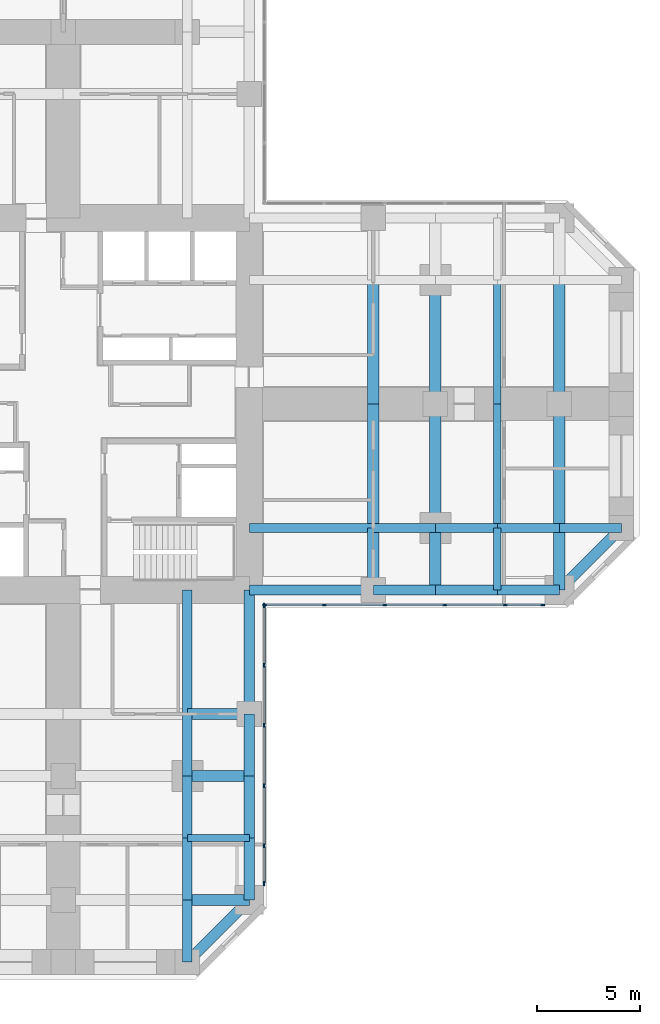
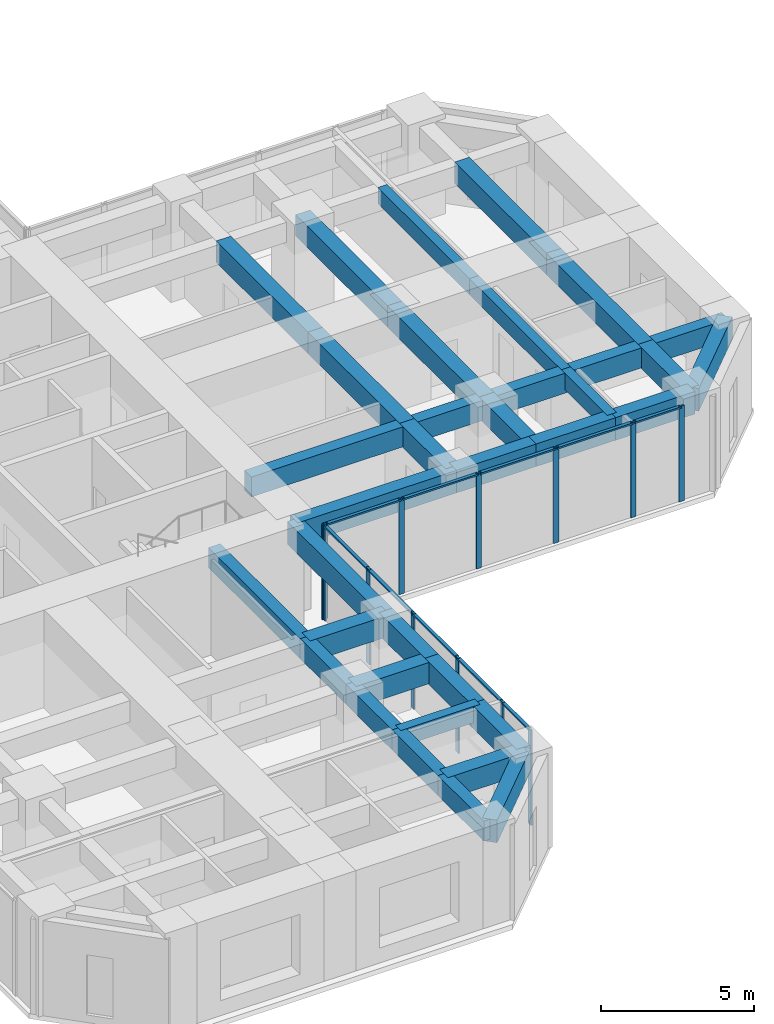
# One storey, part 4 of 13: 36 beams, 22 members, 2 elements without a shape of their own.
"""IFC4 building model written with IfcOpenShell, lengths in metres."""

from ifc_helpers import new_model, si_unit, direction, frame, origin, origin_2d, place, context, subcontext, project, spatial, rectangle, extrude, material, material_profile, profile_set, type_object, element, aggregate, save


model = new_model("IFC4")

# Units and contexts
model_context = context("Model", 3, precision=1e-05, world=origin(), true_north=direction((0.0, 1.0)))
body_context = subcontext(model_context, "Body", "Model", "MODEL_VIEW")
ifc_project = project(units=[si_unit("LENGTHUNIT", "METRE"), si_unit("AREAUNIT", "SQUARE_METRE"), si_unit("VOLUMEUNIT", "CUBIC_METRE"), si_unit("PLANEANGLEUNIT", "RADIAN"), si_unit("MASSUNIT", "GRAM", prefix="KILO")], contexts=[model_context])

# Site, building, storey
site_placement = place(None, origin())
site = spatial("IfcSite", under=ifc_project, at=site_placement, CompositionType="ELEMENT")
building_placement = place(site_placement, origin())
building = spatial("IfcBuilding", under=site, at=building_placement, Name="Torre Cruceta", CompositionType="ELEMENT")
storey_placement = place(building_placement, frame((0.0, 0.0, 23.5)))
storey = spatial("IfcBuildingStorey", under=building, at=storey_placement, Name="L05", CompositionType="ELEMENT", Elevation=23.5)

# Beams
ifc_material_1 = material(Name="Concrete G60 (fck 60 MPa)", Category="concrete")
ifc_material_profile_1 = material_profile(ifc_material_1, rectangle(XDim=0.449951171875, YDim=0.800048828125, at=origin_2d()), Name="RC 450X800")
ifc_profile_set_1 = profile_set([ifc_material_profile_1], Name="Concrete G60 (fck 60 MPa)")
beam_type_1 = type_object("IfcBeamType", Name="COLUMN LINE BEAM RC 450X800", PredefinedType="BEAM", material=ifc_profile_set_1)
beam_1_placement = place(storey_placement, frame((9.0, -6.0, 3.39990234375), z_axis=(1.0, 0.0, 0.0), x_axis=(0.0, 1.0, 0.0)))
element("IfcBeam", 1, at=beam_1_placement, inside=storey, type_object=beam_type_1, Name="LB1 L05 E col- 1", PredefinedType="BEAM", context=body_context, shape_type="SweptSolid", body=[
    extrude(rectangle(XDim=0.449951171875, YDim=0.800048828125, at=origin_2d()), origin(), (0.0, 0.0, 1.0), 6.0),
])
for number, where, z_axis, x_axis, name in (
    (2, (15.0, -6.0, 3.39990234375), (1.0, 0.0, 0.0), (0.0, 1.0, 0.0), "LB1 L05 E col- 2"),
    (3, (18.0, -6.0, 3.39990234375), (1.0, 0.0, 0.0), (0.0, 1.0, 0.0), "LB1 L05 E col- 3"),
    (4, (21.0, -6.0, 3.39990234375), (1.0, 0.0, 0.0), (0.0, 1.0, 0.0), "LB1 L05 E col- 4"),
    (5, (24.0, -6.0, 3.39990234375), (1.0, 0.0, 0.0), (0.0, 1.0, 0.0), "LB1 L05 E col- 5"),
):
    element("IfcBeam", number, at=place(storey_placement, frame(where, z_axis=z_axis, x_axis=x_axis)), inside=storey, type_object=beam_type_1, Name=name, PredefinedType="BEAM", context=body_context, shape_type="SweptSolid", body=[
        extrude(rectangle(XDim=0.449951171875, YDim=0.800048828125, at=origin_2d()), origin(), (0.0, 0.0, 1.0), 3.0),
    ])
beam_2_placement = place(storey_placement, frame((6.0, -9.0, 3.39990234375), z_axis=(0.0, -1.0, 0.0), x_axis=(1.0, 0.0, 0.0)))
element("IfcBeam", 6, at=beam_2_placement, inside=storey, type_object=beam_type_1, Name="LB1 L05 S col+ 1", PredefinedType="BEAM", context=body_context, shape_type="SweptSolid", body=[
    extrude(rectangle(XDim=0.449951171875, YDim=0.800048828125, at=origin_2d()), origin(), (0.0, 0.0, 1.0), 6.0),
])
for number, where, z_axis, x_axis, name in (
    (7, (6.0, -15.0, 3.39990234375), (0.0, -1.0, 0.0), (1.0, 0.0, 0.0), "LB1 L05 S col+ 2"),
    (8, (6.0, -18.0, 3.39990234375), (0.0, -1.0, 0.0), (1.0, 0.0, 0.0), "LB1 L05 S col+ 3"),
    (9, (6.0, -21.0, 3.39990234375), (0.0, -1.0, 0.0), (1.0, 0.0, 0.0), "LB1 L05 S col+ 4"),
    (10, (6.0, -24.0, 3.39990234375), (0.0, -1.0, 0.0), (1.0, 0.0, 0.0), "LB1 L05 S col+ 5"),
):
    element("IfcBeam", number, at=place(storey_placement, frame(where, z_axis=z_axis, x_axis=x_axis)), inside=storey, type_object=beam_type_1, Name=name, PredefinedType="BEAM", context=body_context, shape_type="SweptSolid", body=[
        extrude(rectangle(XDim=0.449951171875, YDim=0.800048828125, at=origin_2d()), origin(), (0.0, 0.0, 1.0), 3.0),
    ])
ifc_material_2 = material(Name="Concrete G60 (fck 60 MPa)", Category="concrete")
ifc_material_profile_2 = material_profile(ifc_material_2, rectangle(XDim=0.550048828125, YDim=0.85009765625, at=origin_2d()), Name="RC 550X850")
ifc_profile_set_2 = profile_set([ifc_material_profile_2], Name="Concrete G60 (fck 60 MPa)")
beam_type_2 = type_object("IfcBeamType", Name="CROSS BEAM RC 550X850", PredefinedType="BEAM", material=ifc_profile_set_2)
beam_3_placement = place(storey_placement, frame((15.0, -9.0, 3.375), z_axis=(0.0, 1.0, 0.0), x_axis=(-1.0, 0.0, 0.0)))
element("IfcBeam", 11, at=beam_3_placement, inside=storey, type_object=beam_type_2, Name="GB4 L05 E cross15 1", PredefinedType="BEAM", context=body_context, shape_type="SweptSolid", body=[
    extrude(rectangle(XDim=0.550048828125, YDim=0.85009765625, at=origin_2d()), origin(), (0.0, 0.0, 1.0), 3.0),
])
for number, where, z_axis, x_axis, name in (
    (12, (15.0, -6.0, 3.375), (0.0, 1.0, 0.0), (-1.0, 0.0, 0.0), "GB4 L05 E cross15 2"),
    (13, (15.0, 0.0, 3.375), (0.0, 1.0, 0.0), (-1.0, 0.0, 0.0), "GB4 L05 E cross15 3"),
):
    element("IfcBeam", number, at=place(storey_placement, frame(where, z_axis=z_axis, x_axis=x_axis)), inside=storey, type_object=beam_type_2, Name=name, PredefinedType="BEAM", context=body_context, shape_type="SweptSolid", body=[
        extrude(rectangle(XDim=0.550048828125, YDim=0.85009765625, at=origin_2d()), origin(), (0.0, 0.0, 1.0), 6.0),
    ])
beam_4_placement = place(storey_placement, frame((18.0, -9.0, 3.375), z_axis=(0.0, 1.0, 0.0), x_axis=(-1.0, 0.0, 0.0)))
element("IfcBeam", 14, at=beam_4_placement, inside=storey, type_object=beam_type_2, Name="GB4 L05 E cross18 1", PredefinedType="BEAM", context=body_context, shape_type="SweptSolid", body=[
    extrude(rectangle(XDim=0.550048828125, YDim=0.85009765625, at=origin_2d()), origin(), (0.0, 0.0, 1.0), 3.0),
])
for number, where, z_axis, x_axis, name in (
    (15, (18.0, -6.0, 3.375), (0.0, 1.0, 0.0), (-1.0, 0.0, 0.0), "GB4 L05 E cross18 2"),
    (16, (18.0, 0.0, 3.375), (0.0, 1.0, 0.0), (-1.0, 0.0, 0.0), "GB4 L05 E cross18 3"),
):
    element("IfcBeam", number, at=place(storey_placement, frame(where, z_axis=z_axis, x_axis=x_axis)), inside=storey, type_object=beam_type_2, Name=name, PredefinedType="BEAM", context=body_context, shape_type="SweptSolid", body=[
        extrude(rectangle(XDim=0.550048828125, YDim=0.85009765625, at=origin_2d()), origin(), (0.0, 0.0, 1.0), 6.0),
    ])
beam_5_placement = place(storey_placement, frame((24.0, -9.0, 3.375), z_axis=(0.0, 1.0, 0.0), x_axis=(-1.0, 0.0, 0.0)))
element("IfcBeam", 17, at=beam_5_placement, inside=storey, type_object=beam_type_2, Name="GB4 L05 E cross24 1", PredefinedType="BEAM", context=body_context, shape_type="SweptSolid", body=[
    extrude(rectangle(XDim=0.550048828125, YDim=0.85009765625, at=origin_2d()), origin(), (0.0, 0.0, 1.0), 3.0),
])
for number, where, z_axis, x_axis, name in (
    (18, (24.0, -6.0, 3.375), (0.0, 1.0, 0.0), (-1.0, 0.0, 0.0), "GB4 L05 E cross24 2"),
    (19, (24.0, 0.0, 3.375), (0.0, 1.0, 0.0), (-1.0, 0.0, 0.0), "GB4 L05 E cross24 3"),
):
    element("IfcBeam", number, at=place(storey_placement, frame(where, z_axis=z_axis, x_axis=x_axis)), inside=storey, type_object=beam_type_2, Name=name, PredefinedType="BEAM", context=body_context, shape_type="SweptSolid", body=[
        extrude(rectangle(XDim=0.550048828125, YDim=0.85009765625, at=origin_2d()), origin(), (0.0, 0.0, 1.0), 6.0),
    ])
for number, where, z_axis, x_axis, name in (
    (20, (6.0, -15.0, 3.375), (1.0, 0.0, 0.0), (0.0, 1.0, 0.0), "GB4 L05 S cross15 4"),
    (21, (6.0, -18.0, 3.375), (1.0, 0.0, 0.0), (0.0, 1.0, 0.0), "GB4 L05 S cross18 4"),
    (22, (6.0, -24.0, 3.375), (1.0, 0.0, 0.0), (0.0, 1.0, 0.0), "GB4 L05 S cross24 4"),
):
    element("IfcBeam", number, at=place(storey_placement, frame(where, z_axis=z_axis, x_axis=x_axis)), inside=storey, type_object=beam_type_2, Name=name, PredefinedType="BEAM", context=body_context, shape_type="SweptSolid", body=[
        extrude(rectangle(XDim=0.550048828125, YDim=0.85009765625, at=origin_2d()), origin(), (0.0, 0.0, 1.0), 3.0),
    ])

# Curtain wall, members
ifc_material_3 = material(Name="Aluminium unitised curtain wall", Category="aluminium")
curtain_wall_type = type_object("IfcCurtainWallType", Name="CURTAIN WALL CW-A OFFICE LOW RISE", PredefinedType="USERDEFINED", material=ifc_material_3)
curtain_wall_1_placement = place(storey_placement, origin())
curtain_wall_1 = element("IfcCurtainWall", 23, at=curtain_wall_1_placement, inside=storey, type_object=curtain_wall_type, Name="CW-A L05 E side 00", ObjectType="UNITISED", PredefinedType="USERDEFINED")
ifc_material_4 = material(Name="Aluminium mullion", Category="aluminium")
ifc_material_profile_3 = material_profile(ifc_material_4, rectangle(XDim=0.06494140625, YDim=0.199951171875, at=origin_2d()), Name="AL 65X200")
ifc_profile_set_3 = profile_set([ifc_material_profile_3], Name="Aluminium mullion")
member_type_1 = type_object("IfcMemberType", Name="CW-A MULLION 65X200", PredefinedType="MULLION", material=ifc_profile_set_3)
member_1_placement = place(storey_placement, frame((9.75244140625, -9.719970703125, 0.0), z_axis=(0.0, 0.0, 1.0), x_axis=(0.0, 1.0, 0.0)))
member_1 = element("IfcMember", 24, at=member_1_placement, type_object=member_type_1, Name="CW-A mullion 1", PredefinedType="MULLION", context=body_context, shape_type="SweptSolid", body=[
    extrude(rectangle(XDim=0.06494140625, YDim=0.199951171875, at=origin_2d()), origin(), (0.0, 0.0, 1.0), 3.800048828125),
])
member_2_placement = place(storey_placement, frame((12.6357421875, -9.719970703125, 0.0), z_axis=(0.0, 0.0, 1.0), x_axis=(0.0, 1.0, 0.0)))
member_2 = element("IfcMember", 25, at=member_2_placement, type_object=member_type_1, Name="CW-A mullion 2", PredefinedType="MULLION", context=body_context, shape_type="SweptSolid", body=[
    extrude(rectangle(XDim=0.06494140625, YDim=0.199951171875, at=origin_2d()), origin(), (0.0, 0.0, 1.0), 3.800048828125),
])
member_3_placement = place(storey_placement, frame((15.55126953125, -9.719970703125, 0.0), z_axis=(0.0, 0.0, 1.0), x_axis=(0.0, 1.0, 0.0)))
member_3 = element("IfcMember", 26, at=member_3_placement, type_object=member_type_1, Name="CW-A mullion 3", PredefinedType="MULLION", context=body_context, shape_type="SweptSolid", body=[
    extrude(rectangle(XDim=0.06494140625, YDim=0.199951171875, at=origin_2d()), origin(), (0.0, 0.0, 1.0), 3.800048828125),
])
member_4_placement = place(storey_placement, frame((18.467041015625, -9.719970703125, 0.0), z_axis=(0.0, 0.0, 1.0), x_axis=(0.0, 1.0, 0.0)))
member_4 = element("IfcMember", 27, at=member_4_placement, type_object=member_type_1, Name="CW-A mullion 4", PredefinedType="MULLION", context=body_context, shape_type="SweptSolid", body=[
    extrude(rectangle(XDim=0.06494140625, YDim=0.199951171875, at=origin_2d()), origin(), (0.0, 0.0, 1.0), 3.800048828125),
])
member_5_placement = place(storey_placement, frame((21.382568359375, -9.719970703125, 0.0), z_axis=(0.0, 0.0, 1.0), x_axis=(0.0, 1.0, 0.0)))
member_5 = element("IfcMember", 28, at=member_5_placement, type_object=member_type_1, Name="CW-A mullion 5", PredefinedType="MULLION", context=body_context, shape_type="SweptSolid", body=[
    extrude(rectangle(XDim=0.06494140625, YDim=0.199951171875, at=origin_2d()), origin(), (0.0, 0.0, 1.0), 3.800048828125),
])
member_6_placement = place(storey_placement, frame((23.198974609375, -9.719970703125, 0.0), z_axis=(0.0, 0.0, 1.0), x_axis=(0.0, 1.0, 0.0)))
member_6 = element("IfcMember", 29, at=member_6_placement, type_object=member_type_1, Name="CW-A mullion 6", PredefinedType="MULLION", context=body_context, shape_type="SweptSolid", body=[
    extrude(rectangle(XDim=0.06494140625, YDim=0.199951171875, at=origin_2d()), origin(), (0.0, 0.0, 1.0), 3.800048828125),
])

curtain_wall_2_placement = place(storey_placement, origin())
curtain_wall_2 = element("IfcCurtainWall", 30, at=curtain_wall_2_placement, inside=storey, type_object=curtain_wall_type, Name="CW-A L05 S side 19", ObjectType="UNITISED", PredefinedType="USERDEFINED")
member_7_placement = place(storey_placement, frame((9.719970703125, -23.198974609375, 0.0), z_axis=(0.0, 0.0, 1.0), x_axis=(-1.0, 0.0, 0.0)))
member_7 = element("IfcMember", 31, at=member_7_placement, type_object=member_type_1, Name="CW-A mullion 1", PredefinedType="MULLION", context=body_context, shape_type="SweptSolid", body=[
    extrude(rectangle(XDim=0.06494140625, YDim=0.199951171875, at=origin_2d()), origin(), (0.0, 0.0, 1.0), 3.800048828125),
])
member_8_placement = place(storey_placement, frame((9.719970703125, -21.382568359375, 0.0), z_axis=(0.0, 0.0, 1.0), x_axis=(-1.0, 0.0, 0.0)))
member_8 = element("IfcMember", 32, at=member_8_placement, type_object=member_type_1, Name="CW-A mullion 2", PredefinedType="MULLION", context=body_context, shape_type="SweptSolid", body=[
    extrude(rectangle(XDim=0.06494140625, YDim=0.199951171875, at=origin_2d()), origin(), (0.0, 0.0, 1.0), 3.800048828125),
])
member_9_placement = place(storey_placement, frame((9.719970703125, -18.467041015625, 0.0), z_axis=(0.0, 0.0, 1.0), x_axis=(-1.0, 0.0, 0.0)))
member_9 = element("IfcMember", 33, at=member_9_placement, type_object=member_type_1, Name="CW-A mullion 3", PredefinedType="MULLION", context=body_context, shape_type="SweptSolid", body=[
    extrude(rectangle(XDim=0.06494140625, YDim=0.199951171875, at=origin_2d()), origin(), (0.0, 0.0, 1.0), 3.800048828125),
])
member_10_placement = place(storey_placement, frame((9.719970703125, -15.55126953125, 0.0), z_axis=(0.0, 0.0, 1.0), x_axis=(-1.0, 0.0, 0.0)))
member_10 = element("IfcMember", 34, at=member_10_placement, type_object=member_type_1, Name="CW-A mullion 4", PredefinedType="MULLION", context=body_context, shape_type="SweptSolid", body=[
    extrude(rectangle(XDim=0.06494140625, YDim=0.199951171875, at=origin_2d()), origin(), (0.0, 0.0, 1.0), 3.800048828125),
])
member_11_placement = place(storey_placement, frame((9.719970703125, -12.6357421875, 0.0), z_axis=(0.0, 0.0, 1.0), x_axis=(-1.0, 0.0, 0.0)))
member_11 = element("IfcMember", 35, at=member_11_placement, type_object=member_type_1, Name="CW-A mullion 5", PredefinedType="MULLION", context=body_context, shape_type="SweptSolid", body=[
    extrude(rectangle(XDim=0.06494140625, YDim=0.199951171875, at=origin_2d()), origin(), (0.0, 0.0, 1.0), 3.800048828125),
])
member_12_placement = place(storey_placement, frame((9.719970703125, -9.75244140625, 0.0), z_axis=(0.0, 0.0, 1.0), x_axis=(-1.0, 0.0, 0.0)))
member_12 = element("IfcMember", 36, at=member_12_placement, type_object=member_type_1, Name="CW-A mullion 6", PredefinedType="MULLION", context=body_context, shape_type="SweptSolid", body=[
    extrude(rectangle(XDim=0.06494140625, YDim=0.199951171875, at=origin_2d()), origin(), (0.0, 0.0, 1.0), 3.800048828125),
])

# Member
ifc_material_5 = material(Name="Aluminium transom", Category="aluminium")
ifc_material_profile_4 = material_profile(ifc_material_5, rectangle(XDim=0.1201171875, YDim=0.06494140625, at=origin_2d()), Name="AL 120X65")
ifc_profile_set_4 = profile_set([ifc_material_profile_4], Name="Aluminium transom")
member_type_2 = type_object("IfcMemberType", Name="CW-A TRANSOM 65X120", PredefinedType="USERDEFINED", material=ifc_profile_set_4)
member_13_placement = place(storey_placement, frame((9.784912109375, -9.719970703125, 3.767578125), z_axis=(1.0, 0.0, 0.0), x_axis=(0.0, 1.0, 0.0)))
member_13 = element("IfcMember", 37, at=member_13_placement, type_object=member_type_2, Name="CW-A transom 1", ObjectType="TRANSOM", PredefinedType="USERDEFINED", context=body_context, shape_type="SweptSolid", body=[
    extrude(rectangle(XDim=0.1201171875, YDim=0.06494140625, at=origin_2d()), origin(), (0.0, 0.0, 1.0), 2.818115234375),
])

member_14_placement = place(storey_placement, frame((12.668212890625, -9.719970703125, 3.767578125), z_axis=(1.0, 0.0, 0.0), x_axis=(0.0, 1.0, 0.0)))
member_14 = element("IfcMember", 38, at=member_14_placement, type_object=member_type_2, Name="CW-A transom 2", ObjectType="TRANSOM", PredefinedType="USERDEFINED", context=body_context, shape_type="SweptSolid", body=[
    extrude(rectangle(XDim=0.1201171875, YDim=0.06494140625, at=origin_2d()), origin(), (0.0, 0.0, 1.0), 2.8505859375),
])

member_15_placement = place(storey_placement, frame((15.583740234375, -9.719970703125, 3.767578125), z_axis=(1.0, 0.0, 0.0), x_axis=(0.0, 1.0, 0.0)))
member_15 = element("IfcMember", 39, at=member_15_placement, type_object=member_type_2, Name="CW-A transom 3", ObjectType="TRANSOM", PredefinedType="USERDEFINED", context=body_context, shape_type="SweptSolid", body=[
    extrude(rectangle(XDim=0.1201171875, YDim=0.06494140625, at=origin_2d()), origin(), (0.0, 0.0, 1.0), 2.8505859375),
])

member_16_placement = place(storey_placement, frame((18.49951171875, -9.719970703125, 3.767578125), z_axis=(1.0, 0.0, 0.0), x_axis=(0.0, 1.0, 0.0)))
member_16 = element("IfcMember", 40, at=member_16_placement, type_object=member_type_2, Name="CW-A transom 4", ObjectType="TRANSOM", PredefinedType="USERDEFINED", context=body_context, shape_type="SweptSolid", body=[
    extrude(rectangle(XDim=0.1201171875, YDim=0.06494140625, at=origin_2d()), origin(), (0.0, 0.0, 1.0), 2.8505859375),
])

member_17_placement = place(storey_placement, frame((21.4150390625, -9.719970703125, 3.767578125), z_axis=(1.0, 0.0, 0.0), x_axis=(0.0, 1.0, 0.0)))
member_17 = element("IfcMember", 41, at=member_17_placement, type_object=member_type_2, Name="CW-A transom 5", ObjectType="TRANSOM", PredefinedType="USERDEFINED", context=body_context, shape_type="SweptSolid", body=[
    extrude(rectangle(XDim=0.1201171875, YDim=0.06494140625, at=origin_2d()), origin(), (0.0, 0.0, 1.0), 1.75146484375),
])

aggregate(curtain_wall_1, [member_1, member_2, member_3, member_4, member_5, member_6, member_13, member_14, member_15, member_16, member_17])

member_18_placement = place(storey_placement, frame((9.719970703125, -23.16650390625, 3.767578125), z_axis=(0.0, 1.0, 0.0), x_axis=(-1.0, 0.0, 0.0)))
member_18 = element("IfcMember", 42, at=member_18_placement, type_object=member_type_2, Name="CW-A transom 1", ObjectType="TRANSOM", PredefinedType="USERDEFINED", context=body_context, shape_type="SweptSolid", body=[
    extrude(rectangle(XDim=0.1201171875, YDim=0.06494140625, at=origin_2d()), origin(), (0.0, 0.0, 1.0), 1.75146484375),
])

member_19_placement = place(storey_placement, frame((9.719970703125, -21.35009765625, 3.767578125), z_axis=(0.0, 1.0, 0.0), x_axis=(-1.0, 0.0, 0.0)))
member_19 = element("IfcMember", 43, at=member_19_placement, type_object=member_type_2, Name="CW-A transom 2", ObjectType="TRANSOM", PredefinedType="USERDEFINED", context=body_context, shape_type="SweptSolid", body=[
    extrude(rectangle(XDim=0.1201171875, YDim=0.06494140625, at=origin_2d()), origin(), (0.0, 0.0, 1.0), 2.8505859375),
])

member_20_placement = place(storey_placement, frame((9.719970703125, -18.434326171875, 3.767578125), z_axis=(0.0, 1.0, 0.0), x_axis=(-1.0, 0.0, 0.0)))
member_20 = element("IfcMember", 44, at=member_20_placement, type_object=member_type_2, Name="CW-A transom 3", ObjectType="TRANSOM", PredefinedType="USERDEFINED", context=body_context, shape_type="SweptSolid", body=[
    extrude(rectangle(XDim=0.1201171875, YDim=0.06494140625, at=origin_2d()), origin(), (0.0, 0.0, 1.0), 2.8505859375),
])

member_21_placement = place(storey_placement, frame((9.719970703125, -15.518798828125, 3.767578125), z_axis=(0.0, 1.0, 0.0), x_axis=(-1.0, 0.0, 0.0)))
member_21 = element("IfcMember", 45, at=member_21_placement, type_object=member_type_2, Name="CW-A transom 4", ObjectType="TRANSOM", PredefinedType="USERDEFINED", context=body_context, shape_type="SweptSolid", body=[
    extrude(rectangle(XDim=0.1201171875, YDim=0.06494140625, at=origin_2d()), origin(), (0.0, 0.0, 1.0), 2.8505859375),
])

member_22_placement = place(storey_placement, frame((9.719970703125, -12.60302734375, 3.767578125), z_axis=(0.0, 1.0, 0.0), x_axis=(-1.0, 0.0, 0.0)))
member_22 = element("IfcMember", 46, at=member_22_placement, type_object=member_type_2, Name="CW-A transom 5", ObjectType="TRANSOM", PredefinedType="USERDEFINED", context=body_context, shape_type="SweptSolid", body=[
    extrude(rectangle(XDim=0.1201171875, YDim=0.06494140625, at=origin_2d()), origin(), (0.0, 0.0, 1.0), 2.818115234375),
])

aggregate(curtain_wall_2, [member_7, member_8, member_9, member_10, member_11, member_12, member_18, member_19, member_20, member_21, member_22])

# Beams
ifc_material_6 = material(Name="Concrete G60 (fck 60 MPa)", Category="concrete")
ifc_material_profile_5 = material_profile(ifc_material_6, rectangle(XDim=0.35009765625, YDim=0.64990234375, at=origin_2d()), Name="RC 350X650")
ifc_profile_set_5 = profile_set([ifc_material_profile_5], Name="Concrete G60 (fck 60 MPa)")
beam_type_3 = type_object("IfcBeamType", Name="SECONDARY BEAM RC 350X650", PredefinedType="JOIST", material=ifc_profile_set_5)
beam_6_placement = place(storey_placement, frame((21.0, -9.0, 3.47509765625), z_axis=(0.0, 1.0, 0.0), x_axis=(-1.0, 0.0, 0.0)))
element("IfcBeam", 47, at=beam_6_placement, inside=storey, type_object=beam_type_3, Name="JB3 L05 E sec21 1", PredefinedType="JOIST", context=body_context, shape_type="SweptSolid", body=[
    extrude(rectangle(XDim=0.35009765625, YDim=0.64990234375, at=origin_2d()), origin(), (0.0, 0.0, 1.0), 3.0),
])
for number, where, z_axis, x_axis, name in (
    (48, (21.0, -6.0, 3.47509765625), (0.0, 1.0, 0.0), (-1.0, 0.0, 0.0), "JB3 L05 E sec21 2"),
    (49, (21.0, 0.0, 3.47509765625), (0.0, 1.0, 0.0), (-1.0, 0.0, 0.0), "JB3 L05 E sec21 3"),
):
    element("IfcBeam", number, at=place(storey_placement, frame(where, z_axis=z_axis, x_axis=x_axis)), inside=storey, type_object=beam_type_3, Name=name, PredefinedType="JOIST", context=body_context, shape_type="SweptSolid", body=[
        extrude(rectangle(XDim=0.35009765625, YDim=0.64990234375, at=origin_2d()), origin(), (0.0, 0.0, 1.0), 6.0),
    ])
beam_7_placement = place(storey_placement, frame((6.0, -21.0, 3.47509765625), z_axis=(1.0, 0.0, 0.0), x_axis=(0.0, 1.0, 0.0)))
element("IfcBeam", 50, at=beam_7_placement, inside=storey, type_object=beam_type_3, Name="JB3 L05 S sec21 4", PredefinedType="JOIST", context=body_context, shape_type="SweptSolid", body=[
    extrude(rectangle(XDim=0.35009765625, YDim=0.64990234375, at=origin_2d()), origin(), (0.0, 0.0, 1.0), 3.0),
])
ifc_material_7 = material(Name="Concrete G60 (fck 60 MPa)", Category="concrete")
ifc_material_profile_6 = material_profile(ifc_material_7, rectangle(XDim=0.5, YDim=0.89990234375, at=origin_2d()), Name="RC 500X900")
ifc_profile_set_6 = profile_set([ifc_material_profile_6], Name="Concrete G60 (fck 60 MPa)")
beam_type_4 = type_object("IfcBeamType", Name="SPANDREL BEAM RC 500X900", PredefinedType="SPANDREL", material=ifc_profile_set_6)
beam_8_placement = place(storey_placement, frame((9.0, -9.0, 3.35009765625), z_axis=(1.0, 0.0, 0.0), x_axis=(0.0, 1.0, 0.0)))
element("IfcBeam", 51, at=beam_8_placement, inside=storey, type_object=beam_type_4, Name="SB4 L05 E side- 1", PredefinedType="SPANDREL", context=body_context, shape_type="SweptSolid", body=[
    extrude(rectangle(XDim=0.5, YDim=0.89990234375, at=origin_2d()), origin(), (0.0, 0.0, 1.0), 6.0),
])
for number, where, z_axis, x_axis, name in (
    (52, (15.0, -9.0, 3.35009765625), (1.0, 0.0, 0.0), (0.0, 1.0, 0.0), "SB4 L05 E side- 2"),
    (53, (18.0, -9.0, 3.35009765625), (1.0, 0.0, 0.0), (0.0, 1.0, 0.0), "SB4 L05 E side- 3"),
    (54, (21.0, -9.0, 3.35009765625), (1.0, 0.0, 0.0), (0.0, 1.0, 0.0), "SB4 L05 E side- 4"),
):
    element("IfcBeam", number, at=place(storey_placement, frame(where, z_axis=z_axis, x_axis=x_axis)), inside=storey, type_object=beam_type_4, Name=name, PredefinedType="SPANDREL", context=body_context, shape_type="SweptSolid", body=[
        extrude(rectangle(XDim=0.5, YDim=0.89990234375, at=origin_2d()), origin(), (0.0, 0.0, 1.0), 3.0),
    ])
beam_9_placement = place(storey_placement, frame((24.0, -9.0, 3.35009765625), z_axis=(0.707106781187, 0.707106781187, 0.0), x_axis=(-0.707106781187, 0.707106781187, 0.0)))
element("IfcBeam", 55, at=beam_9_placement, inside=storey, type_object=beam_type_4, Name="SB4 L05 E side- 5", PredefinedType="SPANDREL", context=body_context, shape_type="SweptSolid", body=[
    extrude(rectangle(XDim=0.5, YDim=0.89990234375, at=origin_2d()), origin(), (0.0, 0.0, 1.0), 4.24267578125),
])
beam_10_placement = place(storey_placement, frame((9.0, -9.0, 3.35009765625), z_axis=(0.0, -1.0, 0.0), x_axis=(1.0, 0.0, 0.0)))
element("IfcBeam", 56, at=beam_10_placement, inside=storey, type_object=beam_type_4, Name="SB4 L05 S side+ 1", PredefinedType="SPANDREL", context=body_context, shape_type="SweptSolid", body=[
    extrude(rectangle(XDim=0.5, YDim=0.89990234375, at=origin_2d()), origin(), (0.0, 0.0, 1.0), 6.0),
])
for number, where, z_axis, x_axis, name in (
    (57, (9.0, -15.0, 3.35009765625), (0.0, -1.0, 0.0), (1.0, 0.0, 0.0), "SB4 L05 S side+ 2"),
    (58, (9.0, -18.0, 3.35009765625), (0.0, -1.0, 0.0), (1.0, 0.0, 0.0), "SB4 L05 S side+ 3"),
    (59, (9.0, -21.0, 3.35009765625), (0.0, -1.0, 0.0), (1.0, 0.0, 0.0), "SB4 L05 S side+ 4"),
):
    element("IfcBeam", number, at=place(storey_placement, frame(where, z_axis=z_axis, x_axis=x_axis)), inside=storey, type_object=beam_type_4, Name=name, PredefinedType="SPANDREL", context=body_context, shape_type="SweptSolid", body=[
        extrude(rectangle(XDim=0.5, YDim=0.89990234375, at=origin_2d()), origin(), (0.0, 0.0, 1.0), 3.0),
    ])
beam_11_placement = place(storey_placement, frame((9.0, -24.0, 3.35009765625), z_axis=(-0.707106781187, -0.707106781187, 0.0), x_axis=(0.707106781187, -0.707106781187, 0.0)))
element("IfcBeam", 60, at=beam_11_placement, inside=storey, type_object=beam_type_4, Name="SB4 L05 S side+ 5", PredefinedType="SPANDREL", context=body_context, shape_type="SweptSolid", body=[
    extrude(rectangle(XDim=0.5, YDim=0.89990234375, at=origin_2d()), origin(), (0.0, 0.0, 1.0), 4.24267578125),
])

save(model, "model.ifc")
